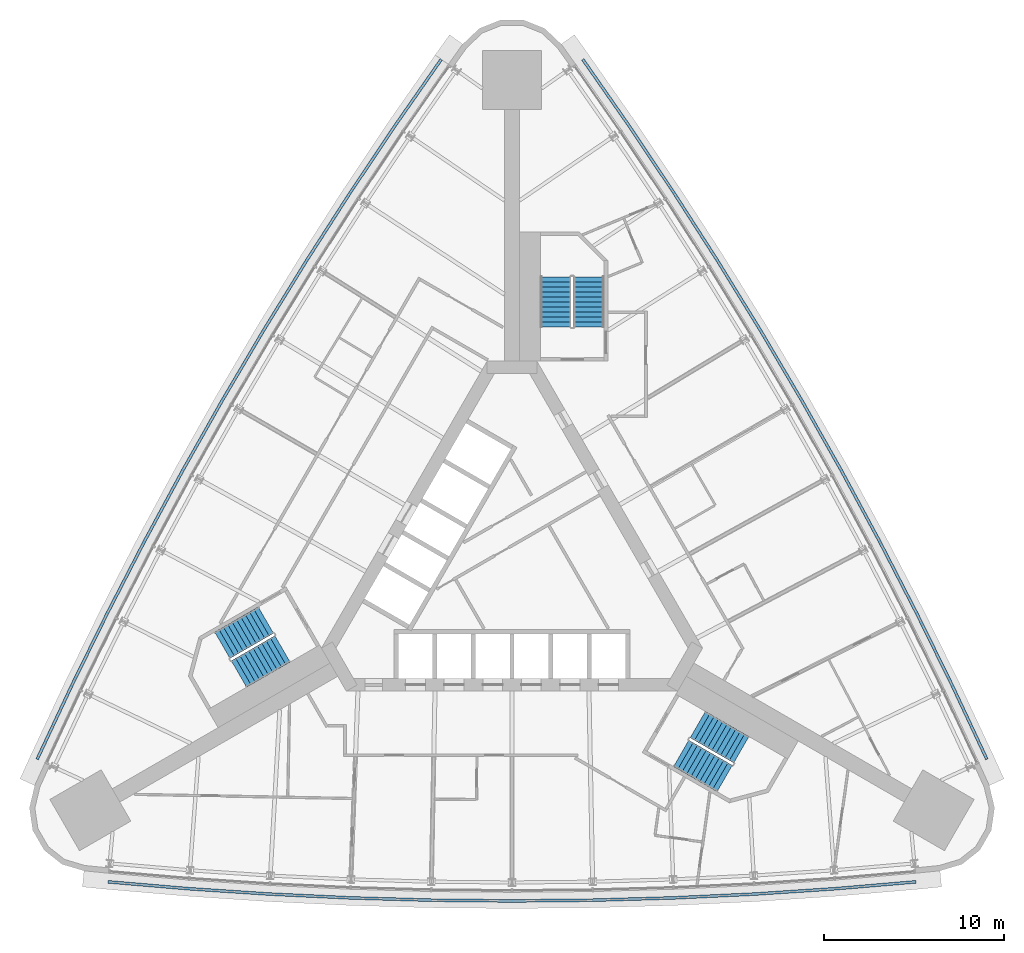
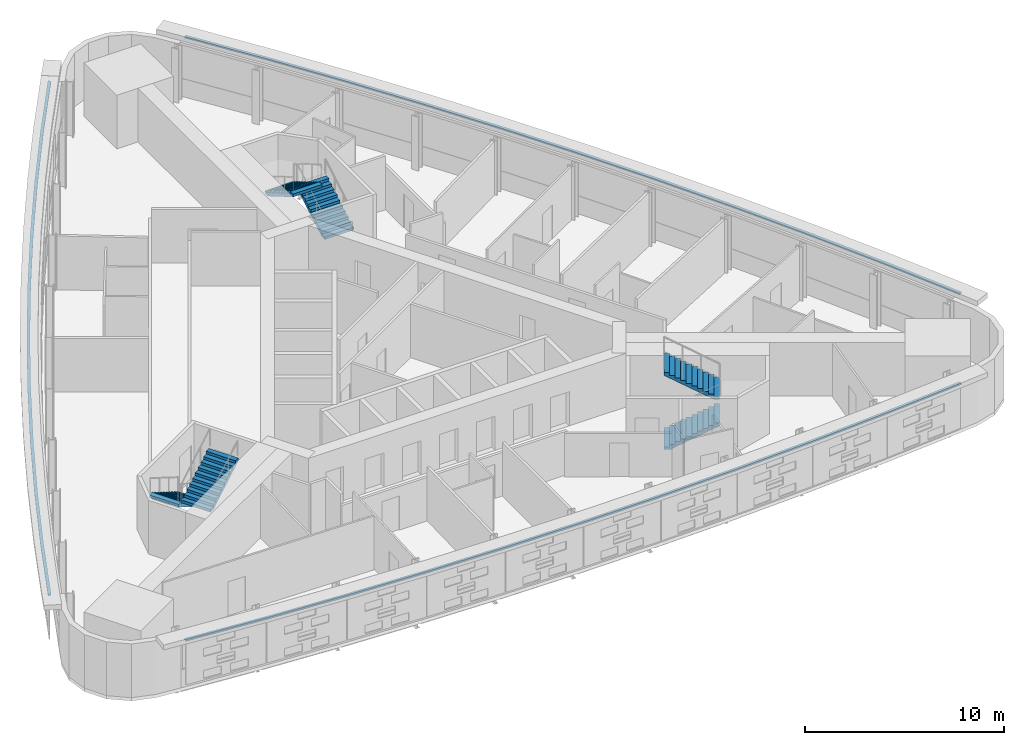
# One storey, part 13 of 15: 6 stair flights, 3 discrete accessories, 3 elements without a shape of their own.
"""IFC4 building model written with IfcOpenShell, lengths in metres."""

from ifc_helpers import new_model, si_unit, direction, frame, origin, place, context, subcontext, project, spatial, polyline, outline, extrude, material, type_object, element, aggregate, save


model = new_model("IFC4")

# Units and contexts
model_context = context("Model", 3, precision=1e-05, world=origin(), true_north=direction((0.0, 1.0)))
body_context = subcontext(model_context, "Body", "Model", "MODEL_VIEW")
ifc_project = project(units=[si_unit("LENGTHUNIT", "METRE"), si_unit("AREAUNIT", "SQUARE_METRE"), si_unit("VOLUMEUNIT", "CUBIC_METRE"), si_unit("PLANEANGLEUNIT", "RADIAN"), si_unit("MASSUNIT", "GRAM", prefix="KILO")], contexts=[model_context])

# Site, building, storey
site_placement = place(None, origin())
site = spatial("IfcSite", under=ifc_project, at=site_placement, CompositionType="ELEMENT")
building_placement = place(site_placement, origin())
building = spatial("IfcBuilding", under=site, at=building_placement, Name="Noor Cloister Tower", CompositionType="ELEMENT")
storey_placement = place(building_placement, frame((0.0, 0.0, 49.199951171875)))
storey = spatial("IfcBuildingStorey", under=building, at=storey_placement, Name="L12", CompositionType="ELEMENT", Elevation=49.199951171875)

# Stair, stair flights
ifc_material_1 = material(Name="Concrete C40/50", Category="concrete")
stair_type = type_object("IfcStairType", Name="Exit stair 22 risers", PredefinedType="HALF_TURN_STAIR", material=ifc_material_1)
stair_1_placement = place(storey_placement, origin())
stair_1 = element("IfcStair", 1, at=stair_1_placement, inside=storey, type_object=stair_type, Name="Exit stair ST1 L12", PredefinedType="HALF_TURN_STAIR")
ifc_material_2 = material(Name="Concrete C40/50", Category="concrete")
stair_flight_type = type_object("IfcStairFlightType", Name="Exit stair flight", PredefinedType="STRAIGHT", material=ifc_material_2)
stair_flight_1_placement = place(storey_placement, frame((4.28564453125, 13.3564453125, 0.0), z_axis=(0.0, 0.0, 1.0), x_axis=(0.0, 1.0, 0.0)))
stair_flight_1 = element("IfcStairFlight", 2, at=stair_flight_1_placement, type_object=stair_flight_type, Name="ST1 flight 1", NumberOfRisers=11, NumberOfTreads=10, PredefinedType="STRAIGHT", RiserHeight=0.163636364, TreadLength=0.28, context=body_context, shape_type="SweptSolid", body=[
    extrude(outline(polyline([(0.0, 0.0), (0.0, 0.16357421875), (0.280029296875, 0.16357421875), (0.280029296875, 0.327392578125), (0.56005859375, 0.327392578125), (0.56005859375, 0.490966796875), (0.840087890625, 0.490966796875), (0.840087890625, 0.654541015625), (1.1201171875, 0.654541015625), (1.1201171875, 0.818115234375), (1.39990234375, 0.818115234375), (1.39990234375, 0.98193359375), (1.679931640625, 0.98193359375), (1.679931640625, 1.1455078125), (1.9599609375, 1.1455078125), (1.9599609375, 1.30908203125), (2.239990234375, 1.30908203125), (2.239990234375, 1.47265625), (2.52001953125, 1.47265625), (2.52001953125, 1.636474609375), (2.800048828125, 1.636474609375), (2.800048828125, 1.800048828125), (2.800048828125, 1.462646484375), (0.297119140625, 0.0), (0.0, 0.0)])), frame((0.0, 0.85009765625, 0.0), z_axis=(0.0, -1.0, 0.0), x_axis=(1.0, 0.0, 0.0)), (0.0, 0.0, 1.0), 1.699951171875),
])
stair_flight_2_placement = place(storey_placement, frame((2.435546875, 16.156494140625, 1.800048828125), z_axis=(0.0, 0.0, 1.0), x_axis=(0.0, -1.0, 0.0)))
stair_flight_2 = element("IfcStairFlight", 3, at=stair_flight_2_placement, type_object=stair_flight_type, Name="ST1 flight 2", NumberOfRisers=11, NumberOfTreads=10, PredefinedType="STRAIGHT", RiserHeight=0.163636364, TreadLength=0.28, context=body_context, shape_type="SweptSolid", body=[
    extrude(outline(polyline([(0.0, 0.0), (0.0, 0.16357421875), (0.280029296875, 0.16357421875), (0.280029296875, 0.327392578125), (0.56005859375, 0.327392578125), (0.56005859375, 0.490966796875), (0.840087890625, 0.490966796875), (0.840087890625, 0.654541015625), (1.1201171875, 0.654541015625), (1.1201171875, 0.818115234375), (1.39990234375, 0.818115234375), (1.39990234375, 0.98193359375), (1.679931640625, 0.98193359375), (1.679931640625, 1.1455078125), (1.9599609375, 1.1455078125), (1.9599609375, 1.30908203125), (2.239990234375, 1.30908203125), (2.239990234375, 1.47265625), (2.52001953125, 1.47265625), (2.52001953125, 1.636474609375), (2.800048828125, 1.636474609375), (2.800048828125, 1.800048828125), (2.800048828125, 1.462646484375), (0.297119140625, 0.0), (0.0, 0.0)])), frame((0.0, 0.85009765625, 0.0), z_axis=(0.0, -1.0, 0.0), x_axis=(1.0, 0.0, 0.0)), (0.0, 0.0, 1.0), 1.699951171875),
])
aggregate(stair_1, [stair_flight_1, stair_flight_2])

stair_2_placement = place(storey_placement, origin())
stair_2 = element("IfcStair", 4, at=stair_2_placement, inside=storey, type_object=stair_type, Name="Exit stair ST2 L12", PredefinedType="HALF_TURN_STAIR")
stair_flight_3_placement = place(storey_placement, frame((-13.709716796875, -2.966796875, 0.0), z_axis=(0.0, 0.0, 1.0), x_axis=(-0.866025403784, -0.5, 0.0)))
stair_flight_3 = element("IfcStairFlight", 5, at=stair_flight_3_placement, type_object=stair_flight_type, Name="ST2 flight 1", NumberOfRisers=11, NumberOfTreads=10, PredefinedType="STRAIGHT", RiserHeight=0.163636364, TreadLength=0.28, context=body_context, shape_type="SweptSolid", body=[
    extrude(outline(polyline([(0.0, 0.0), (0.0, 0.16357421875), (0.280029296875, 0.16357421875), (0.280029296875, 0.327392578125), (0.56005859375, 0.327392578125), (0.56005859375, 0.490966796875), (0.840087890625, 0.490966796875), (0.840087890625, 0.654541015625), (1.1201171875, 0.654541015625), (1.1201171875, 0.818115234375), (1.39990234375, 0.818115234375), (1.39990234375, 0.98193359375), (1.679931640625, 0.98193359375), (1.679931640625, 1.1455078125), (1.9599609375, 1.1455078125), (1.9599609375, 1.30908203125), (2.239990234375, 1.30908203125), (2.239990234375, 1.47265625), (2.52001953125, 1.47265625), (2.52001953125, 1.636474609375), (2.800048828125, 1.636474609375), (2.800048828125, 1.800048828125), (2.800048828125, 1.462646484375), (0.297119140625, 0.0), (0.0, 0.0)])), frame((0.0, 0.85009765625, 0.0), z_axis=(0.0, -1.0, 0.0), x_axis=(1.0, 0.0, 0.0)), (0.0, 0.0, 1.0), 1.699951171875),
])
stair_flight_4_placement = place(storey_placement, frame((-15.209716796875, -5.968994140625, 1.800048828125), z_axis=(0.0, 0.0, 1.0), x_axis=(0.866025403784, 0.5, 0.0)))
stair_flight_4 = element("IfcStairFlight", 6, at=stair_flight_4_placement, type_object=stair_flight_type, Name="ST2 flight 2", NumberOfRisers=11, NumberOfTreads=10, PredefinedType="STRAIGHT", RiserHeight=0.163636364, TreadLength=0.28, context=body_context, shape_type="SweptSolid", body=[
    extrude(outline(polyline([(0.0, 0.0), (0.0, 0.16357421875), (0.280029296875, 0.16357421875), (0.280029296875, 0.327392578125), (0.56005859375, 0.327392578125), (0.56005859375, 0.490966796875), (0.840087890625, 0.490966796875), (0.840087890625, 0.654541015625), (1.1201171875, 0.654541015625), (1.1201171875, 0.818115234375), (1.39990234375, 0.818115234375), (1.39990234375, 0.98193359375), (1.679931640625, 0.98193359375), (1.679931640625, 1.1455078125), (1.9599609375, 1.1455078125), (1.9599609375, 1.30908203125), (2.239990234375, 1.30908203125), (2.239990234375, 1.47265625), (2.52001953125, 1.47265625), (2.52001953125, 1.636474609375), (2.800048828125, 1.636474609375), (2.800048828125, 1.800048828125), (2.800048828125, 1.462646484375), (0.297119140625, 0.0), (0.0, 0.0)])), frame((0.0, 0.85009765625, 0.0), z_axis=(0.0, -1.0, 0.0), x_axis=(1.0, 0.0, 0.0)), (0.0, 0.0, 1.0), 1.699951171875),
])
aggregate(stair_2, [stair_flight_3, stair_flight_4])

stair_3_placement = place(storey_placement, origin())
stair_3 = element("IfcStair", 7, at=stair_3_placement, inside=storey, type_object=stair_type, Name="Exit stair ST3 L12", PredefinedType="HALF_TURN_STAIR")
stair_flight_5_placement = place(storey_placement, frame((9.424072265625, -10.3896484375, 0.0), z_axis=(0.0, 0.0, 1.0), x_axis=(0.866025403784, -0.5, 0.0)))
stair_flight_5 = element("IfcStairFlight", 8, at=stair_flight_5_placement, type_object=stair_flight_type, Name="ST3 flight 1", NumberOfRisers=11, NumberOfTreads=10, PredefinedType="STRAIGHT", RiserHeight=0.163636364, TreadLength=0.28, context=body_context, shape_type="SweptSolid", body=[
    extrude(outline(polyline([(0.0, 0.0), (0.0, 0.16357421875), (0.280029296875, 0.16357421875), (0.280029296875, 0.327392578125), (0.56005859375, 0.327392578125), (0.56005859375, 0.490966796875), (0.840087890625, 0.490966796875), (0.840087890625, 0.654541015625), (1.1201171875, 0.654541015625), (1.1201171875, 0.818115234375), (1.39990234375, 0.818115234375), (1.39990234375, 0.98193359375), (1.679931640625, 0.98193359375), (1.679931640625, 1.1455078125), (1.9599609375, 1.1455078125), (1.9599609375, 1.30908203125), (2.239990234375, 1.30908203125), (2.239990234375, 1.47265625), (2.52001953125, 1.47265625), (2.52001953125, 1.636474609375), (2.800048828125, 1.636474609375), (2.800048828125, 1.800048828125), (2.800048828125, 1.462646484375), (0.297119140625, 0.0), (0.0, 0.0)])), frame((0.0, 0.85009765625, 0.0), z_axis=(0.0, -1.0, 0.0), x_axis=(1.0, 0.0, 0.0)), (0.0, 0.0, 1.0), 1.699951171875),
])
stair_flight_6_placement = place(storey_placement, frame((12.77392578125, -10.1875, 1.800048828125), z_axis=(0.0, 0.0, 1.0), x_axis=(-0.866025403784, 0.5, 0.0)))
stair_flight_6 = element("IfcStairFlight", 9, at=stair_flight_6_placement, type_object=stair_flight_type, Name="ST3 flight 2", NumberOfRisers=11, NumberOfTreads=10, PredefinedType="STRAIGHT", RiserHeight=0.163636364, TreadLength=0.28, context=body_context, shape_type="SweptSolid", body=[
    extrude(outline(polyline([(0.0, 0.0), (0.0, 0.16357421875), (0.280029296875, 0.16357421875), (0.280029296875, 0.327392578125), (0.56005859375, 0.327392578125), (0.56005859375, 0.490966796875), (0.840087890625, 0.490966796875), (0.840087890625, 0.654541015625), (1.1201171875, 0.654541015625), (1.1201171875, 0.818115234375), (1.39990234375, 0.818115234375), (1.39990234375, 0.98193359375), (1.679931640625, 0.98193359375), (1.679931640625, 1.1455078125), (1.9599609375, 1.1455078125), (1.9599609375, 1.30908203125), (2.239990234375, 1.30908203125), (2.239990234375, 1.47265625), (2.52001953125, 1.47265625), (2.52001953125, 1.636474609375), (2.800048828125, 1.636474609375), (2.800048828125, 1.800048828125), (2.800048828125, 1.462646484375), (0.297119140625, 0.0), (0.0, 0.0)])), frame((0.0, 0.85009765625, 0.0), z_axis=(0.0, -1.0, 0.0), x_axis=(1.0, 0.0, 0.0)), (0.0, 0.0, 1.0), 1.699951171875),
])
aggregate(stair_3, [stair_flight_5, stair_flight_6])

# Discrete accessories
ifc_material_3 = material(Name="Stainless steel grade 316", Category="steel")
discrete_accessory_type = type_object("IfcDiscreteAccessoryType", Name="Stainless hanger rail", PredefinedType="BRACKET", material=ifc_material_3)
discrete_accessory_1_placement = place(storey_placement, frame((0.0, 0.0, 3.199951171875)))
element("IfcDiscreteAccessory", 10, at=discrete_accessory_1_placement, inside=storey, type_object=discrete_accessory_type, Name="Hanger rail L12", PredefinedType="BRACKET", context=body_context, shape_type="SweptSolid", body=[
    extrude(outline(polyline([(-4.007568359375, 28.310791015625), (-6.583740234375, 24.61474609375), (-9.09228515625, 20.8662109375), (-11.52978515625, 17.071044921875), (-13.89501953125, 13.230224609375), (-16.18701171875, 9.345703125), (-18.4052734375, 5.418212890625), (-20.548828125, 1.449462890625), (-22.616943359375, -2.558837890625), (-24.60888671875, -6.605712890625), (-26.521484375, -10.684814453125), (-26.376708984375, -10.752685546875), (-24.464599609375, -6.675048828125), (-22.47412109375, -2.630859375), (-20.4072265625, 1.374755859375), (-18.26513671875, 5.3408203125), (-16.048583984375, 9.265625), (-13.7578125, 13.147705078125), (-11.394287109375, 16.98583984375), (-8.95849609375, 20.778564453125), (-6.451416015625, 24.5244140625), (-3.876220703125, 28.21923828125), (-4.007568359375, 28.310791015625)])), origin(), (0.0, 0.0, 1.0), 0.10009765625),
])
discrete_accessory_2_placement = place(storey_placement, frame((0.0, 0.0, 3.199951171875)))
element("IfcDiscreteAccessory", 11, at=discrete_accessory_2_placement, inside=storey, type_object=discrete_accessory_type, Name="Hanger rail L12", PredefinedType="BRACKET", context=body_context, shape_type="SweptSolid", body=[
    extrude(outline(polyline([(-22.51416015625, -17.6259765625), (-18.025146484375, -18.009033203125), (-13.5244140625, -18.307373046875), (-9.01904296875, -18.5205078125), (-4.51025390625, -18.6484375), (0.0, -18.691162109375), (4.51025390625, -18.6484375), (9.01904296875, -18.5205078125), (13.5244140625, -18.307373046875), (18.025146484375, -18.009033203125), (22.51416015625, -17.6259765625), (22.50048828125, -17.466552734375), (18.01318359375, -17.849365234375), (13.515380859375, -18.147705078125), (9.012939453125, -18.360595703125), (4.50732421875, -18.488525390625), (0.0, -18.53125), (-4.50732421875, -18.488525390625), (-9.012939453125, -18.360595703125), (-13.515380859375, -18.147705078125), (-18.01318359375, -17.849365234375), (-22.50048828125, -17.466552734375), (-22.51416015625, -17.6259765625)])), origin(), (0.0, 0.0, 1.0), 0.10009765625),
])
discrete_accessory_3_placement = place(storey_placement, frame((0.0, 0.0, 3.199951171875)))
element("IfcDiscreteAccessory", 12, at=discrete_accessory_3_placement, inside=storey, type_object=discrete_accessory_type, Name="Hanger rail L12", PredefinedType="BRACKET", context=body_context, shape_type="SweptSolid", body=[
    extrude(outline(polyline([(26.521484375, -10.684814453125), (24.60888671875, -6.605712890625), (22.616943359375, -2.558837890625), (20.548828125, 1.449462890625), (18.4052734375, 5.418212890625), (16.18701171875, 9.345703125), (13.89501953125, 13.230224609375), (11.52978515625, 17.071044921875), (9.09228515625, 20.8662109375), (6.583740234375, 24.61474609375), (4.007568359375, 28.310791015625), (3.876220703125, 28.21923828125), (6.451416015625, 24.5244140625), (8.95849609375, 20.778564453125), (11.394287109375, 16.98583984375), (13.7578125, 13.147705078125), (16.048583984375, 9.265625), (18.26513671875, 5.3408203125), (20.4072265625, 1.374755859375), (22.47412109375, -2.630859375), (24.464599609375, -6.675048828125), (26.376708984375, -10.752685546875), (26.521484375, -10.684814453125)])), origin(), (0.0, 0.0, 1.0), 0.10009765625),
])

save(model, "model.ifc")
